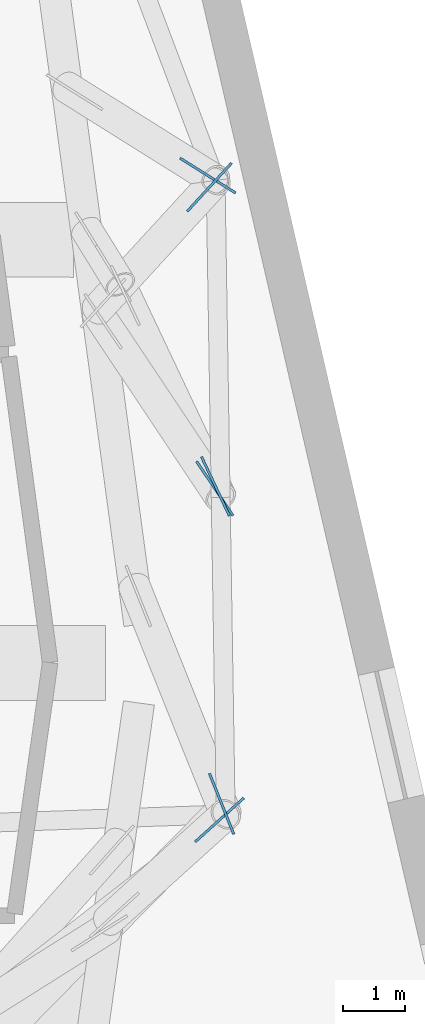
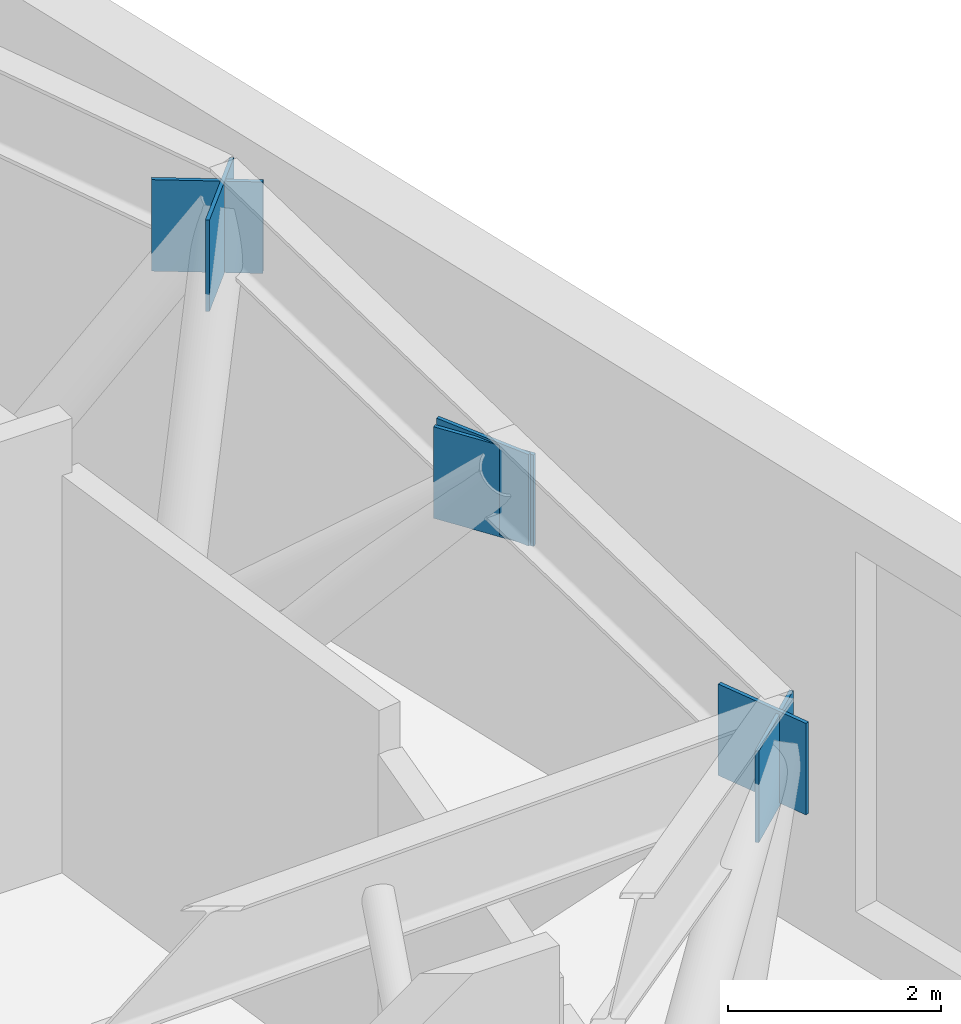
# One storey, part 15 of 17: 6 discrete accessories.
"""IFC4 building model written with IfcOpenShell, lengths in metres."""

from ifc_helpers import new_model, si_unit, direction, frame, origin, origin_2d, place, context, subcontext, project, spatial, rectangle, extrude, material, layer, layer_set, type_object, element, save


model = new_model("IFC4")

# Units and contexts
model_context = context("Model", 3, precision=1e-05, world=origin(), true_north=direction((0.0, 1.0)))
body_context = subcontext(model_context, "Body", "Model", "MODEL_VIEW")
ifc_project = project(units=[si_unit("LENGTHUNIT", "METRE"), si_unit("AREAUNIT", "SQUARE_METRE"), si_unit("VOLUMEUNIT", "CUBIC_METRE"), si_unit("PLANEANGLEUNIT", "RADIAN"), si_unit("MASSUNIT", "GRAM", prefix="KILO")], contexts=[model_context])

# Site, building, storey
site_placement = place(None, origin())
site = spatial("IfcSite", under=ifc_project, at=site_placement, CompositionType="ELEMENT")
building_placement = place(site_placement, origin())
building = spatial("IfcBuilding", under=site, at=building_placement, Name="Dilmun Exchange Tower", CompositionType="ELEMENT")
storey_placement = place(building_placement, frame((0.0, 0.0, 76.5)))
storey = spatial("IfcBuildingStorey", under=building, at=storey_placement, Name="L17", CompositionType="ELEMENT", Elevation=76.5)

# Discrete accessories
ifc_material = material(Name="Steel S355J2", Category="steel")
ifc_layer = layer(ifc_material, 0.0400390625)
ifc_layer_set = layer_set([ifc_layer], Name="Steel S355J2")
discrete_accessory_type = type_object("IfcDiscreteAccessoryType", Name="Gusset plate 40 x 1050 x 1050", PredefinedType="BRACKET", material=ifc_layer_set)
for number, where, z_axis, x_axis, name in (
    (1, (30.326904296875, -12.20361328125, 3.96044921875), (0.0, 0.0, 1.0), (-0.371910644056, 0.928268534875, 0.0), "Gusset plate L17-DG49 end 1"),
    (2, (30.292724609375, -12.46240234375, 3.9267578125), (0.0, 0.0, 1.0), (-0.742188764503, -0.67019089657, 0.0), "Gusset plate L17-DG50 end 1"),
    (3, (30.218017578125, -7.148681640625, 3.951171875), (0.0, 0.0, 1.0), (-0.555327860988, 0.831631509029, 0.0), "Gusset plate L17-DG51 end 1"),
    (4, (30.228759765625, -7.11328125, 3.9765625), (0.0, 0.0, 1.0), (-0.426975968223, 0.904262972017, 0.0), "Gusset plate L17-DG52 end 1"),
    (5, (30.106689453125, -2.132080078125, 3.93310546875), (0.0, 0.0, 1.0), (-0.847324974437, 0.531074747747, 0.0), "Gusset plate L17-DG53 end 1"),
    (6, (30.1318359375, -2.318115234375, 3.93310546875), (0.0, 0.0, 1.0), (-0.676124048909, -0.736787805604, 0.0), "Gusset plate L17-DG54 end 1"),
):
    element("IfcDiscreteAccessory", number, at=place(storey_placement, frame(where, z_axis=z_axis, x_axis=x_axis)), inside=storey, type_object=discrete_accessory_type, Name=name, PredefinedType="BRACKET", context=body_context, shape_type="SweptSolid", body=[
        extrude(rectangle(XDim=1.050048828125, YDim=0.0400390625, at=origin_2d()), origin(), (0.0, 0.0, 1.0), 1.050048828125),
    ])

save(model, "model.ifc")
